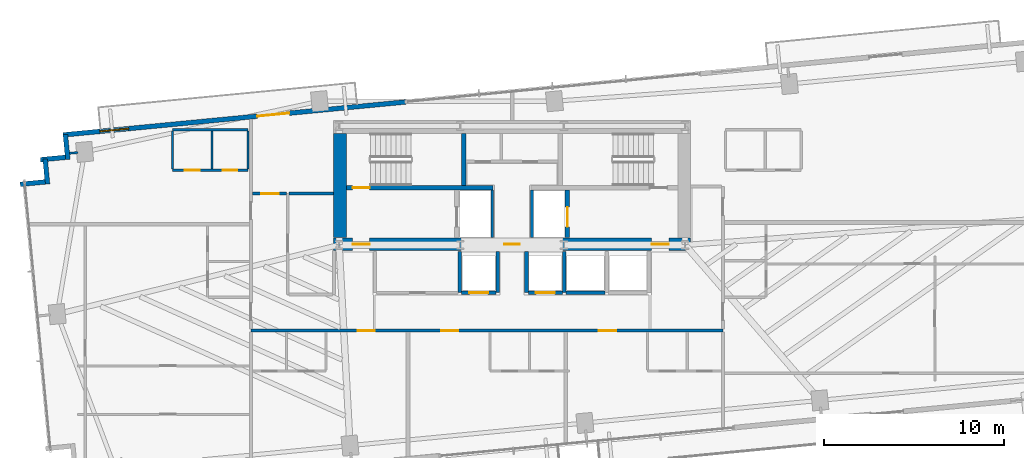
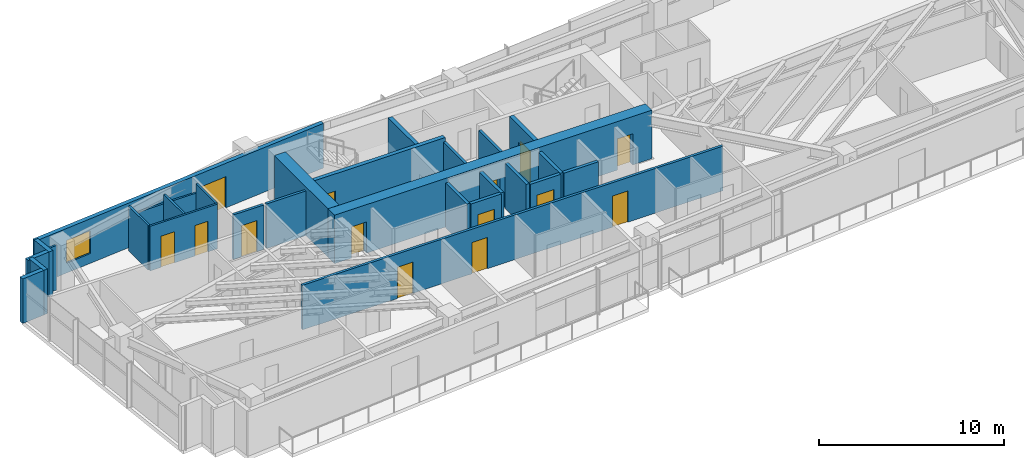
# One storey, part 22 of 27: 28 walls, 14 doors, 1 window, 15 openings.
"""IFC4 building model written with IfcOpenShell, lengths in metres."""

from ifc_helpers import new_model, si_unit, direction, frame, frame_2d, origin, place, context, subcontext, project, spatial, rectangle, extrude, source, transform, mapped, material, layer, layer_set, type_object, type_shapes, element, fill, save


model = new_model("IFC4")

# Units and contexts
model_context = context("Model", 3, precision=1e-05, world=origin(), true_north=direction((0.0, 1.0)))
body_context = subcontext(model_context, "Body", "Model", "MODEL_VIEW")
ifc_project = project(units=[si_unit("LENGTHUNIT", "METRE"), si_unit("AREAUNIT", "SQUARE_METRE"), si_unit("VOLUMEUNIT", "CUBIC_METRE"), si_unit("PLANEANGLEUNIT", "RADIAN"), si_unit("MASSUNIT", "GRAM", prefix="KILO")], contexts=[model_context])

# Site, building, storey
site_placement = place(None, origin())
site = spatial("IfcSite", under=ifc_project, at=site_placement, CompositionType="ELEMENT")
building_placement = place(site_placement, origin())
building = spatial("IfcBuilding", under=site, at=building_placement, Name="Astriad Promenade Condominiums", CompositionType="ELEMENT")
storey_placement = place(building_placement, frame((0.0, 0.0, 113.0)))
storey = spatial("IfcBuildingStorey", under=building, at=storey_placement, Name="L32", CompositionType="ELEMENT", Elevation=113.0)

# Wall, openings, doors
ifc_material_1 = material(Name="Concrete C60/75", Category="concrete")
ifc_layer_1 = layer(ifc_material_1, 0.699951171875)
ifc_layer_set_1 = layer_set([ifc_layer_1], Name="Concrete C60/75")
wall_type_1 = type_object("IfcWallType", Name="CW-SHEAR-700", PredefinedType="SHEAR", material=ifc_layer_set_1)
wall_1_placement = place(storey_placement, frame((26.10009765625, 17.449951171875, 0.0), z_axis=(0.0, 0.0, 1.0), x_axis=(1.0, 0.0, 0.0)))
wall_1 = element("IfcWall", 1, at=wall_1_placement, inside=storey, type_object=wall_type_1, Name="CW-CORE-S-L32", PredefinedType="SHEAR", context=body_context, shape_type="SweptSolid", body=[
    extrude(rectangle(XDim=19.7998046875, YDim=0.699951171875, at=frame_2d((9.89990234375, 0.0))), origin(), (0.0, 0.0, 1.0), 3.199951171875),
])
opening_1_placement = place(wall_1_placement, frame((1.050048828125, 0.0, 0.0)))
opening_1 = element("IfcOpeningElement", 2, at=opening_1_placement, cuts=wall_1, Name="Opening FD90-ST-095", PredefinedType="OPENING", context=body_context, shape_type="SweptSolid", body=[
    extrude(rectangle(XDim=0.949951171875, YDim=2.06005859375, at=frame_2d((0.47509765625, 1.030029296875))), frame((0.0, 0.35986328125, 0.0), z_axis=(0.0, -1.0, 0.0), x_axis=(1.0, 0.0, 0.0)), (0.0, 0.0, 1.0), 0.719970703125),
])
opening_2_placement = place(wall_1_placement, frame((9.47998046875, 0.0, 0.0)))
opening_2 = element("IfcOpeningElement", 3, at=opening_2_placement, cuts=wall_1, Name="Opening FD60-ULOW-085", PredefinedType="OPENING", context=body_context, shape_type="SweptSolid", body=[
    extrude(rectangle(XDim=0.85009765625, YDim=2.0, at=frame_2d((0.425048828125, 1.0))), frame((0.0, 0.35986328125, 0.0), z_axis=(0.0, -1.0, 0.0), x_axis=(1.0, 0.0, 0.0)), (0.0, 0.0, 1.0), 0.719970703125),
])
opening_3_placement = place(wall_1_placement, frame((17.64990234375, 0.0, 0.0)))
opening_3 = element("IfcOpeningElement", 4, at=opening_3_placement, cuts=wall_1, Name="Opening FD90-ST-095", PredefinedType="OPENING", context=body_context, shape_type="SweptSolid", body=[
    extrude(rectangle(XDim=0.949951171875, YDim=2.06005859375, at=frame_2d((0.47509765625, 1.030029296875))), frame((0.0, 0.35986328125, 0.0), z_axis=(0.0, -1.0, 0.0), x_axis=(1.0, 0.0, 0.0)), (0.0, 0.0, 1.0), 0.719970703125),
])
ifc_material_2 = material(Name="Fire-Rated Hollow Metal Stair Door")
door_type_1 = type_object("IfcDoorType", Name="FD90-ST-095", OperationType="NOTDEFINED", PredefinedType="DOOR", material=ifc_material_2)
shared_shape_1 = source(origin(), body_context, "Body", "SweptSolid", [
    extrude(rectangle(XDim=0.949951171875, YDim=2.06005859375, at=frame_2d((0.47509765625, 1.030029296875))), frame((0.0, 0.02490234375, 0.0), z_axis=(0.0, -1.0, 0.0), x_axis=(1.0, 0.0, 0.0)), (0.0, 0.0, 1.0), 0.050048828125),
])
type_shapes(door_type_1, [shared_shape_1])
door_1_placement = place(opening_1_placement, origin())
door_1 = element("IfcDoor", 5, at=door_1_placement, inside=storey, type_object=door_type_1, Name="D-FFW-L32", OperationType="SINGLE_SWING_LEFT", OverallHeight=2.06005859375, OverallWidth=0.949951171875, PredefinedType="DOOR", context=body_context, shape_type="MappedRepresentation", body=[
    mapped(shared_shape_1, transform((0.0, 0.0, 0.0), scale=1.0)),
])
fill(opening_1, door_1)
door_2_placement = place(opening_3_placement, origin())
door_2 = element("IfcDoor", 6, at=door_2_placement, inside=storey, type_object=door_type_1, Name="D-FFE-L32", OperationType="SINGLE_SWING_RIGHT", OverallHeight=2.06005859375, OverallWidth=0.949951171875, PredefinedType="DOOR", context=body_context, shape_type="MappedRepresentation", body=[
    mapped(shared_shape_1, transform((0.0, 0.0, 0.0), scale=1.0)),
])
fill(opening_3, door_2)
ifc_material_3 = material(Name="Solid-Core Low-Headroom Fire Door")
door_type_2 = type_object("IfcDoorType", Name="FD60-ULOW-085", OperationType="NOTDEFINED", PredefinedType="DOOR", material=ifc_material_3)
shared_shape_2 = source(origin(), body_context, "Body", "SweptSolid", [
    extrude(rectangle(XDim=0.85009765625, YDim=2.0, at=frame_2d((0.425048828125, 1.0))), frame((0.0, 0.02490234375, 0.0), z_axis=(0.0, -1.0, 0.0), x_axis=(1.0, 0.0, 0.0)), (0.0, 0.0, 1.0), 0.050048828125),
])
type_shapes(door_type_2, [shared_shape_2])
door_3_placement = place(opening_2_placement, origin())
door_3 = element("IfcDoor", 7, at=door_3_placement, inside=storey, type_object=door_type_2, Name="D-CSL-L32", OperationType="SINGLE_SWING_RIGHT", OverallHeight=2.0, OverallWidth=0.85009765625, PredefinedType="DOOR", context=body_context, shape_type="MappedRepresentation", body=[
    mapped(shared_shape_2, transform((0.0, 0.0, 0.0), scale=1.0)),
])
fill(opening_2, door_3)

# Wall
wall_2_placement = place(storey_placement, frame((26.449951171875, 17.802001953125, 0.0), z_axis=(0.0, 0.0, 1.0), x_axis=(0.0, 1.0, 0.0)))
element("IfcWall", 8, at=wall_2_placement, inside=storey, type_object=wall_type_1, Name="CW-CORE-W-L32", PredefinedType="SHEAR", context=body_context, shape_type="SweptSolid", body=[
    extrude(rectangle(XDim=5.7958984375, YDim=0.699951171875, at=frame_2d((2.89794921875, 0.0))), origin(), (0.0, 0.0, 1.0), 3.199951171875),
])

# Wall, opening, door
ifc_material_4 = material(Name="Concrete C50/60", Category="concrete")
ifc_layer_2 = layer(ifc_material_4, 0.25)
ifc_layer_set_2 = layer_set([ifc_layer_2], Name="Concrete C50/60")
wall_type_2 = type_object("IfcWallType", Name="WALL-CORE-INT-250", PredefinedType="SOLIDWALL", material=ifc_layer_set_2)
wall_3_placement = place(storey_placement, frame((26.802001953125, 20.574951171875, 0.0), z_axis=(0.0, 0.0, 1.0), x_axis=(1.0, 0.0, 0.0)))
wall_3 = element("IfcWall", 9, at=wall_3_placement, inside=storey, type_object=wall_type_2, Name="CW-INT-H1-L32", PredefinedType="SOLIDWALL", context=body_context, shape_type="SweptSolid", body=[
    extrude(rectangle(XDim=8.14794921875, YDim=0.25, at=frame_2d((4.073974609375, 0.0))), origin(), (0.0, 0.0, 1.0), 3.199951171875),
])
opening_4_placement = place(wall_3_placement, frame((0.347900390625, 0.0, 0.0)))
opening_4 = element("IfcOpeningElement", 10, at=opening_4_placement, cuts=wall_3, Name="Opening FD90-ST-095", PredefinedType="OPENING", context=body_context, shape_type="SweptSolid", body=[
    extrude(rectangle(XDim=0.949951171875, YDim=2.06005859375, at=frame_2d((0.47509765625, 1.030029296875))), frame((0.0, 0.135009765625, 0.0), z_axis=(0.0, -1.0, 0.0), x_axis=(1.0, 0.0, 0.0)), (0.0, 0.0, 1.0), 0.27001953125),
])
door_4_placement = place(opening_4_placement, origin())
door_4 = element("IfcDoor", 11, at=door_4_placement, inside=storey, type_object=door_type_1, Name="D-ST1-L32", OperationType="SINGLE_SWING_RIGHT", OverallHeight=2.06005859375, OverallWidth=0.949951171875, PredefinedType="DOOR", context=body_context, shape_type="MappedRepresentation", body=[
    mapped(shared_shape_1, transform((0.0, 0.0, 0.0), scale=1.0)),
])
fill(opening_4, door_4)

# Wall
wall_4_placement = place(storey_placement, frame((33.324951171875, 20.701904296875, 0.0), z_axis=(0.0, 0.0, 1.0), x_axis=(0.0, 1.0, 0.0)))
element("IfcWall", 12, at=wall_4_placement, inside=storey, type_object=wall_type_2, Name="CW-ST1-E-L32", PredefinedType="SOLIDWALL", context=body_context, shape_type="SweptSolid", body=[
    extrude(rectangle(XDim=2.89599609375, YDim=0.25, at=frame_2d((1.447998046875, 0.0))), origin(), (0.0, 0.0, 1.0), 3.199951171875),
])

# Wall, opening, door
wall_5_placement = place(storey_placement, frame((39.074951171875, 17.802001953125, 0.0), z_axis=(0.0, 0.0, 1.0), x_axis=(0.0, 1.0, 0.0)))
wall_5 = element("IfcWall", 13, at=wall_5_placement, inside=storey, type_object=wall_type_2, Name="CW-FFL2-E-L32", PredefinedType="SOLIDWALL", context=body_context, shape_type="SweptSolid", body=[
    extrude(rectangle(XDim=2.64599609375, YDim=0.25, at=frame_2d((1.322998046875, 0.0))), origin(), (0.0, 0.0, 1.0), 3.199951171875),
])
opening_5_placement = place(wall_5_placement, frame((0.597900390625, 0.0, 0.0)))
opening_5 = element("IfcOpeningElement", 14, at=opening_5_placement, cuts=wall_5, Name="Opening LD-FFL-1122", PredefinedType="OPENING", context=body_context, shape_type="SweptSolid", body=[
    extrude(rectangle(XDim=1.10009765625, YDim=2.080078125, at=frame_2d((0.550048828125, 1.0400390625))), frame((0.0, 0.135009765625, 0.0), z_axis=(0.0, -1.0, 0.0), x_axis=(1.0, 0.0, 0.0)), (0.0, 0.0, 1.0), 0.27001953125),
])
ifc_material_5 = material(Name="Brushed Stainless Steel Fire Elevator Landing Door", Category="steel")
door_type_3 = type_object("IfcDoorType", Name="LD-FFL-1122", OperationType="NOTDEFINED", PredefinedType="DOOR", material=ifc_material_5)
shared_shape_3 = source(origin(), body_context, "Body", "SweptSolid", [
    extrude(rectangle(XDim=1.10009765625, YDim=2.080078125, at=frame_2d((0.550048828125, 1.0400390625))), frame((0.0, 0.02490234375, 0.0), z_axis=(0.0, -1.0, 0.0), x_axis=(1.0, 0.0, 0.0)), (0.0, 0.0, 1.0), 0.050048828125),
])
type_shapes(door_type_3, [shared_shape_3])
door_5_placement = place(opening_5_placement, origin())
door_5 = element("IfcDoor", 15, at=door_5_placement, inside=storey, type_object=door_type_3, Name="Elevator Landing Door FFL-2 (L32)", OperationType="SLIDING_TO_RIGHT", OverallHeight=2.080078125, OverallWidth=1.10009765625, PredefinedType="DOOR", context=body_context, shape_type="MappedRepresentation", body=[
    mapped(shared_shape_3, transform((0.0, 0.0, 0.0), scale=1.0)),
])
fill(opening_5, door_5)

# Walls
ifc_material_6 = material(Name="Fire-Rated Gypsum Partition")
ifc_layer_3 = layer(ifc_material_6, 0.159912109375)
ifc_layer_set_3 = layer_set([ifc_layer_3], Name="Fire-Rated Gypsum Partition")
wall_type_3 = type_object("IfcWallType", Name="WALL-CORR-160", PredefinedType="PARTITIONING", material=ifc_layer_set_3)
for number, where, z_axis, x_axis, name in (
    (16, (34.89990234375, 17.802001953125, 0.0), (0.0, 0.0, 1.0), (0.0, 1.0, 0.0), "CW-FFL1-E-L32"),
    (17, (37.10009765625, 17.802001953125, 0.0), (0.0, 0.0, 1.0), (0.0, 1.0, 0.0), "CW-FFL2-W-L32"),
):
    element("IfcWall", number, at=place(storey_placement, frame(where, z_axis=z_axis, x_axis=x_axis)), inside=storey, type_object=wall_type_3, Name=name, PredefinedType="PARTITIONING", context=body_context, shape_type="SweptSolid", body=[
        extrude(rectangle(XDim=2.64599609375, YDim=0.159912109375, at=frame_2d((1.322998046875, 0.0))), origin(), (0.0, 0.0, 1.0), 2.93994140625),
    ])

# Wall, openings, doors
wall_6_placement = place(storey_placement, frame((21.5, 12.64990234375, 0.0), z_axis=(0.0, 0.0, 1.0), x_axis=(1.0, 0.0, 0.0)))
wall_6 = element("IfcWall", 18, at=wall_6_placement, inside=storey, type_object=wall_type_3, Name="PT-COR-S-L32", PredefinedType="PARTITIONING", context=body_context, shape_type="SweptSolid", body=[
    extrude(rectangle(XDim=26.199951171875, YDim=0.159912109375, at=frame_2d((13.10009765625, 0.0))), origin(), (0.0, 0.0, 1.0), 2.93994140625),
])
opening_6_placement = place(wall_6_placement, frame((5.927001953125, 0.0, 0.0)))
opening_6 = element("IfcOpeningElement", 19, at=opening_6_placement, cuts=wall_6, Name="Opening FD60-APT-095", PredefinedType="OPENING", context=body_context, shape_type="SweptSolid", body=[
    extrude(rectangle(XDim=0.949951171875, YDim=2.06005859375, at=frame_2d((0.47509765625, 1.030029296875))), frame((0.0, 0.08984375, 0.0), z_axis=(0.0, -1.0, 0.0), x_axis=(1.0, 0.0, 0.0)), (0.0, 0.0, 1.0), 0.179931640625),
])
opening_7_placement = place(wall_6_placement, frame((10.574951171875, 0.0, 0.0)))
opening_7 = element("IfcOpeningElement", 20, at=opening_7_placement, cuts=wall_6, Name="Opening FD60-APT-095", PredefinedType="OPENING", context=body_context, shape_type="SweptSolid", body=[
    extrude(rectangle(XDim=0.949951171875, YDim=2.06005859375, at=frame_2d((0.47509765625, 1.030029296875))), frame((0.0, 0.08984375, 0.0), z_axis=(0.0, -1.0, 0.0), x_axis=(1.0, 0.0, 0.0)), (0.0, 0.0, 1.0), 0.179931640625),
])
opening_8_placement = place(wall_6_placement, frame((19.322021484375, 0.0, 0.0)))
opening_8 = element("IfcOpeningElement", 21, at=opening_8_placement, cuts=wall_6, Name="Opening FD60-APT-095", PredefinedType="OPENING", context=body_context, shape_type="SweptSolid", body=[
    extrude(rectangle(XDim=0.949951171875, YDim=2.06005859375, at=frame_2d((0.47509765625, 1.030029296875))), frame((0.0, 0.08984375, 0.0), z_axis=(0.0, -1.0, 0.0), x_axis=(1.0, 0.0, 0.0)), (0.0, 0.0, 1.0), 0.179931640625),
])
ifc_material_7 = material(Name="Solid-Core Acoustic Timber Residence Entry Door", Category="wood")
door_type_4 = type_object("IfcDoorType", Name="FD60-APT-095", OperationType="NOTDEFINED", PredefinedType="DOOR", material=ifc_material_7)
shared_shape_4 = source(origin(), body_context, "Body", "SweptSolid", [
    extrude(rectangle(XDim=0.949951171875, YDim=2.06005859375, at=frame_2d((0.47509765625, 1.030029296875))), frame((0.0, 0.02490234375, 0.0), z_axis=(0.0, -1.0, 0.0), x_axis=(1.0, 0.0, 0.0)), (0.0, 0.0, 1.0), 0.050048828125),
])
type_shapes(door_type_4, [shared_shape_4])
door_6_placement = place(opening_6_placement, origin())
door_6 = element("IfcDoor", 22, at=door_6_placement, inside=storey, type_object=door_type_4, Name="D-ENT-L32-S1", OperationType="SINGLE_SWING_LEFT", OverallHeight=2.06005859375, OverallWidth=0.949951171875, PredefinedType="DOOR", context=body_context, shape_type="MappedRepresentation", body=[
    mapped(shared_shape_4, transform((0.0, 0.0, 0.0), scale=1.0)),
])
fill(opening_6, door_6)
door_7_placement = place(opening_7_placement, origin())
door_7 = element("IfcDoor", 23, at=door_7_placement, inside=storey, type_object=door_type_4, Name="D-ENT-L32-S2", OperationType="SINGLE_SWING_RIGHT", OverallHeight=2.06005859375, OverallWidth=0.949951171875, PredefinedType="DOOR", context=body_context, shape_type="MappedRepresentation", body=[
    mapped(shared_shape_4, transform((0.0, 0.0, 0.0), scale=1.0)),
])
fill(opening_7, door_7)
door_8_placement = place(opening_8_placement, origin())
door_8 = element("IfcDoor", 24, at=door_8_placement, inside=storey, type_object=door_type_4, Name="D-ENT-L32-S3", OperationType="SINGLE_SWING_LEFT", OverallHeight=2.06005859375, OverallWidth=0.949951171875, PredefinedType="DOOR", context=body_context, shape_type="MappedRepresentation", body=[
    mapped(shared_shape_4, transform((0.0, 0.0, 0.0), scale=1.0)),
])
fill(opening_8, door_8)

# Wall, opening, door
wall_7_placement = place(storey_placement, frame((21.58203125, 20.25, 0.0), z_axis=(0.0, 0.0, 1.0), x_axis=(1.0, 0.0, 0.0)))
wall_7 = element("IfcWall", 25, at=wall_7_placement, inside=storey, type_object=wall_type_3, Name="PT-HK-N-L32", PredefinedType="PARTITIONING", context=body_context, shape_type="SweptSolid", body=[
    extrude(rectangle(XDim=1.885986328125, YDim=0.159912109375, at=frame_2d((0.94287109375, 0.0))), origin(), (0.0, 0.0, 1.0), 2.93994140625),
])
opening_9_placement = place(wall_7_placement, frame((0.508056640625, 0.0, 0.0)))
opening_9 = element("IfcOpeningElement", 26, at=opening_9_placement, cuts=wall_7, Name="Opening FD60-APT-095", PredefinedType="OPENING", context=body_context, shape_type="SweptSolid", body=[
    extrude(rectangle(XDim=0.949951171875, YDim=2.06005859375, at=frame_2d((0.47509765625, 1.030029296875))), frame((0.0, 0.08984375, 0.0), z_axis=(0.0, -1.0, 0.0), x_axis=(1.0, 0.0, 0.0)), (0.0, 0.0, 1.0), 0.179931640625),
])
door_9_placement = place(opening_9_placement, origin())
door_9 = element("IfcDoor", 27, at=door_9_placement, inside=storey, type_object=door_type_4, Name="D-HKB-L32", OperationType="SINGLE_SWING_RIGHT", OverallHeight=2.06005859375, OverallWidth=0.949951171875, PredefinedType="DOOR", context=body_context, shape_type="MappedRepresentation", body=[
    mapped(shared_shape_4, transform((0.0, 0.0, 0.0), scale=1.0)),
])
fill(opening_9, door_9)

# Walls
wall_8_placement = place(storey_placement, frame((23.632080078125, 20.25, 0.0), z_axis=(0.0, 0.0, 1.0), x_axis=(1.0, 0.0, 0.0)))
element("IfcWall", 28, at=wall_8_placement, inside=storey, type_object=wall_type_3, Name="PT-HK-N-L32-S2", PredefinedType="PARTITIONING", context=body_context, shape_type="SweptSolid", body=[
    extrude(rectangle(XDim=2.4658203125, YDim=0.159912109375, at=frame_2d((1.23291015625, 0.0))), origin(), (0.0, 0.0, 1.0), 2.93994140625),
])
ifc_material_8 = material(Name="Precast concrete C50/60", Category="concrete")
ifc_layer_4 = layer(ifc_material_8, 0.260009765625)
ifc_layer_set_4 = layer_set([ifc_layer_4], Name="Precast concrete C50/60")
wall_type_4 = type_object("IfcWallType", Name="WALL-EXT-TWR-260", PredefinedType="STANDARD", material=ifc_layer_set_4)
for number, where, z_axis, x_axis, name in (
    (29, (8.701416015625, 20.767333984375, 0.0), (0.0, 0.0, 1.0), (0.995391056452, 0.09589913835, 0.0), "W-SER-L32-04"),
    (30, (10.216796875, 20.78271484375, 0.0), (0.0, 0.0, 1.0), (-0.095725744959, 0.99540774648, 0.0), "W-SER-L32-05"),
):
    element("IfcWall", number, at=place(storey_placement, frame(where, z_axis=z_axis, x_axis=x_axis)), inside=storey, type_object=wall_type_4, Name=name, PredefinedType="STANDARD", context=body_context, shape_type="SweptSolid", body=[
        extrude(rectangle(XDim=1.39501953125, YDim=0.260009765625, at=frame_2d((0.697509765625, 0.0))), origin(), (0.0, 0.0, 1.0), 2.93994140625),
    ])
wall_9_placement = place(storey_placement, frame((9.825927734375, 22.13134765625, 0.0), z_axis=(0.0, 0.0, 1.0), x_axis=(0.995389446633, 0.095915846097, 0.0)))
element("IfcWall", 31, at=wall_9_placement, inside=storey, type_object=wall_type_4, Name="W-SER-L32-06", PredefinedType="STANDARD", context=body_context, shape_type="SweptSolid", body=[
    extrude(rectangle(XDim=1.394775390625, YDim=0.260009765625, at=frame_2d((0.697265625, 0.0))), origin(), (0.0, 0.0, 1.0), 2.93994140625),
])
wall_10_placement = place(storey_placement, frame((11.34130859375, 22.146728515625, 0.0), z_axis=(0.0, 0.0, 1.0), x_axis=(-0.09589913835, 0.995391056452, 0.0)))
element("IfcWall", 32, at=wall_10_placement, inside=storey, type_object=wall_type_4, Name="W-SER-L32-07", PredefinedType="STANDARD", context=body_context, shape_type="SweptSolid", body=[
    extrude(rectangle(XDim=1.39501953125, YDim=0.260009765625, at=frame_2d((0.697509765625, 0.0))), origin(), (0.0, 0.0, 1.0), 2.93994140625),
])

# Wall, openings, door, window
wall_11_placement = place(storey_placement, frame((11.07958984375, 23.508056640625, 0.0), z_axis=(0.0, 0.0, 1.0), x_axis=(0.995396638587, 0.095841180552, 0.0)))
wall_11 = element("IfcWall", 33, at=wall_11_placement, inside=storey, type_object=wall_type_4, Name="W-EXT-L32-N1", PredefinedType="STANDARD", context=body_context, shape_type="SweptSolid", body=[
    extrude(rectangle(XDim=19.110107421875, YDim=0.260009765625, at=frame_2d((9.55517578125, 0.0))), origin(), (0.0, 0.0, 1.0), 2.93994140625),
])
opening_10_placement = place(wall_11_placement, frame((10.822998046875, 0.0, 0.0)))
opening_10 = element("IfcOpeningElement", 34, at=opening_10_placement, cuts=wall_11, Name="Opening BD-1822-SLD", PredefinedType="OPENING", context=body_context, shape_type="SweptSolid", body=[
    extrude(rectangle(XDim=1.800048828125, YDim=2.06005859375, at=frame_2d((0.89990234375, 1.030029296875))), frame((0.0, 0.139892578125, 0.0), z_axis=(0.0, -1.0, 0.0), x_axis=(1.0, 0.0, 0.0)), (0.0, 0.0, 1.0), 0.280029296875),
])
opening_11_placement = place(wall_11_placement, frame((2.050048828125, 0.0, 0.64990234375)))
opening_11 = element("IfcOpeningElement", 35, at=opening_11_placement, cuts=wall_11, Name="Opening WIN-TWR-1620", PredefinedType="OPENING", context=body_context, shape_type="SweptSolid", body=[
    extrude(rectangle(XDim=1.60009765625, YDim=1.5, at=frame_2d((0.800048828125, 0.75))), frame((0.0, 0.139892578125, 0.0), z_axis=(0.0, -1.0, 0.0), x_axis=(1.0, 0.0, 0.0)), (0.0, 0.0, 1.0), 0.280029296875),
])
ifc_material_9 = material(Name="Thermally Broken Aluminium Sliding Balcony Door", Category="aluminium")
door_type_5 = type_object("IfcDoorType", Name="BD-1822-SLD", OperationType="NOTDEFINED", PredefinedType="DOOR", material=ifc_material_9)
shared_shape_5 = source(origin(), body_context, "Body", "SweptSolid", [
    extrude(rectangle(XDim=1.800048828125, YDim=2.06005859375, at=frame_2d((0.89990234375, 1.030029296875))), frame((0.0, 0.02490234375, 0.0), z_axis=(0.0, -1.0, 0.0), x_axis=(1.0, 0.0, 0.0)), (0.0, 0.0, 1.0), 0.050048828125),
])
type_shapes(door_type_5, [shared_shape_5])
door_10_placement = place(opening_10_placement, origin())
door_10 = element("IfcDoor", 36, at=door_10_placement, inside=storey, type_object=door_type_5, Name="BD-L32-NW", OperationType="SLIDING_TO_LEFT", OverallHeight=2.06005859375, OverallWidth=1.800048828125, PredefinedType="DOOR", context=body_context, shape_type="MappedRepresentation", body=[
    mapped(shared_shape_5, transform((0.0, 0.0, 0.0), scale=1.0)),
])
fill(opening_10, door_10)
ifc_material_10 = material(Name="Dark Tinted Triple-Glazed Aluminium Window", Category="aluminium")
window_type = type_object("IfcWindowType", Name="WIN-TWR-1620", PartitioningType="SINGLE_PANEL", PredefinedType="WINDOW", material=ifc_material_10)
shared_shape_6 = source(origin(), body_context, "Body", "SweptSolid", [
    extrude(rectangle(XDim=1.60009765625, YDim=1.5, at=frame_2d((0.800048828125, 0.75))), frame((0.0, 0.030029296875, 0.0), z_axis=(0.0, -1.0, 0.0), x_axis=(1.0, 0.0, 0.0)), (0.0, 0.0, 1.0), 0.06005859375),
])
type_shapes(window_type, [shared_shape_6])
window_placement = place(opening_11_placement, origin())
window = element("IfcWindow", 37, at=window_placement, inside=storey, type_object=window_type, Name="WIN-L32-NW", OverallHeight=1.5, OverallWidth=1.60009765625, PartitioningType="SINGLE_PANEL", PredefinedType="WINDOW", context=body_context, shape_type="MappedRepresentation", body=[
    mapped(shared_shape_6, transform((0.0, 0.0, 0.0), scale=1.0)),
])
fill(opening_11, window)

# Wall, openings, doors
ifc_material_11 = material(Name="Acoustic Metal-Stud Gypsum Partition")
ifc_layer_5 = layer(ifc_material_11, 0.1201171875)
ifc_layer_set_5 = layer_set([ifc_layer_5], Name="Acoustic Metal-Stud Gypsum Partition")
wall_type_5 = type_object("IfcWallType", Name="WALL-PART-120", PredefinedType="PARTITIONING", material=ifc_layer_set_5)
wall_12_placement = place(storey_placement, frame((17.14990234375, 21.550048828125, 0.0), z_axis=(0.0, 0.0, 1.0), x_axis=(1.0, 0.0, 0.0)))
wall_12 = element("IfcWall", 38, at=wall_12_placement, inside=storey, type_object=wall_type_5, Name="PT-L32-W2-PH", PredefinedType="PARTITIONING", context=body_context, shape_type="SweptSolid", body=[
    extrude(rectangle(XDim=4.2001953125, YDim=0.1201171875, at=frame_2d((2.10009765625, 0.0))), origin(), (0.0, 0.0, 1.0), 2.93994140625),
])
opening_12_placement = place(wall_12_placement, frame((0.675048828125, 0.0, 0.0)))
opening_12 = element("IfcOpeningElement", 39, at=opening_12_placement, cuts=wall_12, Name="Opening D-INT-085", PredefinedType="OPENING", context=body_context, shape_type="SweptSolid", body=[
    extrude(rectangle(XDim=0.85009765625, YDim=2.050048828125, at=frame_2d((0.425048828125, 1.02490234375))), frame((0.0, 0.070068359375, 0.0), z_axis=(0.0, -1.0, 0.0), x_axis=(1.0, 0.0, 0.0)), (0.0, 0.0, 1.0), 0.14013671875),
])
opening_13_placement = place(wall_12_placement, frame((2.800048828125, 0.0, 0.0)))
opening_13 = element("IfcOpeningElement", 40, at=opening_13_placement, cuts=wall_12, Name="Opening D-WET-080", PredefinedType="OPENING", context=body_context, shape_type="SweptSolid", body=[
    extrude(rectangle(XDim=0.800048828125, YDim=2.02001953125, at=frame_2d((0.39990234375, 1.010009765625))), frame((0.0, 0.070068359375, 0.0), z_axis=(0.0, -1.0, 0.0), x_axis=(1.0, 0.0, 0.0)), (0.0, 0.0, 1.0), 0.14013671875),
])
ifc_material_12 = material(Name="Moisture-Resistant Timber Bathroom Door", Category="wood")
door_type_6 = type_object("IfcDoorType", Name="D-WET-080", OperationType="NOTDEFINED", PredefinedType="DOOR", material=ifc_material_12)
shared_shape_7 = source(origin(), body_context, "Body", "SweptSolid", [
    extrude(rectangle(XDim=0.800048828125, YDim=2.02001953125, at=frame_2d((0.39990234375, 1.010009765625))), frame((0.0, 0.02490234375, 0.0), z_axis=(0.0, -1.0, 0.0), x_axis=(1.0, 0.0, 0.0)), (0.0, 0.0, 1.0), 0.050048828125),
])
type_shapes(door_type_6, [shared_shape_7])
door_11_placement = place(opening_13_placement, origin())
door_11 = element("IfcDoor", 41, at=door_11_placement, inside=storey, type_object=door_type_6, Name="D-BTH-L32-W2", OperationType="SINGLE_SWING_RIGHT", OverallHeight=2.02001953125, OverallWidth=0.800048828125, PredefinedType="DOOR", context=body_context, shape_type="MappedRepresentation", body=[
    mapped(shared_shape_7, transform((0.0, 0.0, 0.0), scale=1.0)),
])
fill(opening_13, door_11)
ifc_material_13 = material(Name="Painted Solid-Core Timber Room Door", Category="wood")
door_type_7 = type_object("IfcDoorType", Name="D-INT-085", OperationType="NOTDEFINED", PredefinedType="DOOR", material=ifc_material_13)
shared_shape_8 = source(origin(), body_context, "Body", "SweptSolid", [
    extrude(rectangle(XDim=0.85009765625, YDim=2.050048828125, at=frame_2d((0.425048828125, 1.02490234375))), frame((0.0, 0.02490234375, 0.0), z_axis=(0.0, -1.0, 0.0), x_axis=(1.0, 0.0, 0.0)), (0.0, 0.0, 1.0), 0.050048828125),
])
type_shapes(door_type_7, [shared_shape_8])
door_12_placement = place(opening_12_placement, origin())
door_12 = element("IfcDoor", 42, at=door_12_placement, inside=storey, type_object=door_type_7, Name="D-KIT-L32-W2", OperationType="SINGLE_SWING_LEFT", OverallHeight=2.050048828125, OverallWidth=0.85009765625, PredefinedType="DOOR", context=body_context, shape_type="MappedRepresentation", body=[
    mapped(shared_shape_8, transform((0.0, 0.0, 0.0), scale=1.0)),
])
fill(opening_12, door_12)

# Walls
wall_13_placement = place(storey_placement, frame((17.14990234375, 23.800048828125, 0.0), z_axis=(0.0, 0.0, 1.0), x_axis=(1.0, 0.0, 0.0)))
element("IfcWall", 43, at=wall_13_placement, inside=storey, type_object=wall_type_5, Name="PT-L32-W2-PHN", PredefinedType="PARTITIONING", context=body_context, shape_type="SweptSolid", body=[
    extrude(rectangle(XDim=4.2001953125, YDim=0.1201171875, at=frame_2d((2.10009765625, 0.0))), origin(), (0.0, 0.0, 1.0), 2.309814453125),
])
for number, where, z_axis, x_axis, name in (
    (44, (17.14990234375, 21.612060546875, 0.0), (0.0, 0.0, 1.0), (0.0, 1.0, 0.0), "PT-L32-W2-PK1"),
    (45, (19.35009765625, 21.612060546875, 0.0), (0.0, 0.0, 1.0), (0.0, 1.0, 0.0), "PT-L32-W2-PK2"),
    (46, (21.35009765625, 21.612060546875, 0.0), (0.0, 0.0, 1.0), (0.0, 1.0, 0.0), "PT-L32-W2-PK3"),
):
    element("IfcWall", number, at=place(storey_placement, frame(where, z_axis=z_axis, x_axis=x_axis)), inside=storey, type_object=wall_type_5, Name=name, PredefinedType="PARTITIONING", context=body_context, shape_type="SweptSolid", body=[
        extrude(rectangle(XDim=2.1259765625, YDim=0.1201171875, at=frame_2d((1.06298828125, 0.0))), origin(), (0.0, 0.0, 1.0), 2.93994140625),
    ])
wall_14_placement = place(storey_placement, frame((11.89697265625, 22.53173828125, 0.0), z_axis=(0.0, 0.0, 1.0), x_axis=(-0.995384576284, -0.09596637586, 0.0)))
element("IfcWall", 47, at=wall_14_placement, inside=storey, type_object=wall_type_5, Name="PT-PIL-L32-PC06-13", PredefinedType="PARTITIONING", context=body_context, shape_type="SweptSolid", body=[
    extrude(rectangle(XDim=0.4580078125, YDim=0.1201171875, at=frame_2d((0.22900390625, 0.0))), origin(), (0.0, 0.0, 1.0), 2.93994140625),
])
ifc_material_14 = material(Name="Gypsum Shaftliner Assembly")
ifc_layer_6 = layer(ifc_material_14, 0.199951171875)
ifc_layer_set_6 = layer_set([ifc_layer_6], Name="Gypsum Shaftliner Assembly")
wall_type_6 = type_object("IfcWallType", Name="WALL-SHAFT-200", PredefinedType="PARTITIONING", material=ifc_layer_set_6)
for number, where, z_axis, x_axis, name in (
    (48, (33.10009765625, 14.75, 0.0), (0.0, 0.0, 1.0), (0.0, 1.0, 0.0), "REC-L-E-L32"),
    (49, (35.199951171875, 14.75, 0.0), (0.0, 0.0, 1.0), (0.0, 1.0, 0.0), "PL-M1-E-L32"),
):
    element("IfcWall", number, at=place(storey_placement, frame(where, z_axis=z_axis, x_axis=x_axis)), inside=storey, type_object=wall_type_6, Name=name, PredefinedType="PARTITIONING", context=body_context, shape_type="SweptSolid", body=[
        extrude(rectangle(XDim=2.300048828125, YDim=0.199951171875, at=frame_2d((1.14990234375, 0.0))), origin(), (0.0, 0.0, 1.0), 2.93994140625),
    ])

# Wall, opening, door
wall_15_placement = place(storey_placement, frame((33.201904296875, 14.75, 0.0), z_axis=(0.0, 0.0, 1.0), x_axis=(1.0, 0.0, 0.0)))
wall_15 = element("IfcWall", 50, at=wall_15_placement, inside=storey, type_object=wall_type_6, Name="PL-M1-F-L32", PredefinedType="PARTITIONING", context=body_context, shape_type="SweptSolid", body=[
    extrude(rectangle(XDim=1.89599609375, YDim=0.199951171875, at=frame_2d((0.947998046875, 0.0))), origin(), (0.0, 0.0, 1.0), 2.93994140625),
])
opening_14_placement = place(wall_15_placement, frame((0.423095703125, 0.0, 0.0)))
opening_14 = element("IfcOpeningElement", 51, at=opening_14_placement, cuts=wall_15, Name="Opening LD-PL-10522", PredefinedType="OPENING", context=body_context, shape_type="SweptSolid", body=[
    extrude(rectangle(XDim=1.050048828125, YDim=2.080078125, at=frame_2d((0.52490234375, 1.0400390625))), frame((0.0, 0.10986328125, 0.0), z_axis=(0.0, -1.0, 0.0), x_axis=(1.0, 0.0, 0.0)), (0.0, 0.0, 1.0), 0.219970703125),
])
ifc_material_15 = material(Name="Brushed Bronze Passenger Elevator Landing Door")
door_type_8 = type_object("IfcDoorType", Name="LD-PL-10522", OperationType="NOTDEFINED", PredefinedType="DOOR", material=ifc_material_15)
shared_shape_9 = source(origin(), body_context, "Body", "SweptSolid", [
    extrude(rectangle(XDim=1.050048828125, YDim=2.080078125, at=frame_2d((0.52490234375, 1.0400390625))), frame((0.0, 0.02490234375, 0.0), z_axis=(0.0, -1.0, 0.0), x_axis=(1.0, 0.0, 0.0)), (0.0, 0.0, 1.0), 0.050048828125),
])
type_shapes(door_type_8, [shared_shape_9])
door_13_placement = place(opening_14_placement, origin())
door_13 = element("IfcDoor", 52, at=door_13_placement, inside=storey, type_object=door_type_8, Name="Elevator Landing Door PL-M1 (L32)", OperationType="SLIDING_TO_LEFT", OverallHeight=2.080078125, OverallWidth=1.050048828125, PredefinedType="DOOR", context=body_context, shape_type="MappedRepresentation", body=[
    mapped(shared_shape_9, transform((0.0, 0.0, 0.0), scale=1.0)),
])
fill(opening_14, door_13)

# Walls
for number, where, z_axis, x_axis, name in (
    (53, (36.800048828125, 14.75, 0.0), (0.0, 0.0, 1.0), (0.0, 1.0, 0.0), "PL-M2-W-L32"),
    (54, (38.89990234375, 14.75, 0.0), (0.0, 0.0, 1.0), (0.0, 1.0, 0.0), "PL-MH-DIV-L32"),
):
    element("IfcWall", number, at=place(storey_placement, frame(where, z_axis=z_axis, x_axis=x_axis)), inside=storey, type_object=wall_type_6, Name=name, PredefinedType="PARTITIONING", context=body_context, shape_type="SweptSolid", body=[
        extrude(rectangle(XDim=2.300048828125, YDim=0.199951171875, at=frame_2d((1.14990234375, 0.0))), origin(), (0.0, 0.0, 1.0), 2.93994140625),
    ])

# Wall, opening, door
wall_16_placement = place(storey_placement, frame((36.902099609375, 14.75, 0.0), z_axis=(0.0, 0.0, 1.0), x_axis=(1.0, 0.0, 0.0)))
wall_16 = element("IfcWall", 55, at=wall_16_placement, inside=storey, type_object=wall_type_6, Name="PL-M2-F-L32", PredefinedType="PARTITIONING", context=body_context, shape_type="SweptSolid", body=[
    extrude(rectangle(XDim=1.89599609375, YDim=0.199951171875, at=frame_2d((0.947998046875, 0.0))), origin(), (0.0, 0.0, 1.0), 2.93994140625),
])
opening_15_placement = place(wall_16_placement, frame((0.423095703125, 0.0, 0.0)))
opening_15 = element("IfcOpeningElement", 56, at=opening_15_placement, cuts=wall_16, Name="Opening LD-PL-10522", PredefinedType="OPENING", context=body_context, shape_type="SweptSolid", body=[
    extrude(rectangle(XDim=1.050048828125, YDim=2.080078125, at=frame_2d((0.52490234375, 1.0400390625))), frame((0.0, 0.10986328125, 0.0), z_axis=(0.0, -1.0, 0.0), x_axis=(1.0, 0.0, 0.0)), (0.0, 0.0, 1.0), 0.219970703125),
])
door_14_placement = place(opening_15_placement, origin())
door_14 = element("IfcDoor", 57, at=door_14_placement, inside=storey, type_object=door_type_8, Name="Elevator Landing Door PL-M2 (L32)", OperationType="SLIDING_TO_RIGHT", OverallHeight=2.080078125, OverallWidth=1.050048828125, PredefinedType="DOOR", context=body_context, shape_type="MappedRepresentation", body=[
    mapped(shared_shape_9, transform((0.0, 0.0, 0.0), scale=1.0)),
])
fill(opening_15, door_14)

# Wall
wall_17_placement = place(storey_placement, frame((39.001953125, 14.75, 0.0), z_axis=(0.0, 0.0, 1.0), x_axis=(1.0, 0.0, 0.0)))
element("IfcWall", 58, at=wall_17_placement, inside=storey, type_object=wall_type_6, Name="PL-H-FRT-L32", PredefinedType="PARTITIONING", context=body_context, shape_type="SweptSolid", body=[
    extrude(rectangle(XDim=2.14599609375, YDim=0.199951171875, at=frame_2d((1.072998046875, 0.0))), origin(), (0.0, 0.0, 1.0), 2.93994140625),
])

save(model, "model.ifc")
